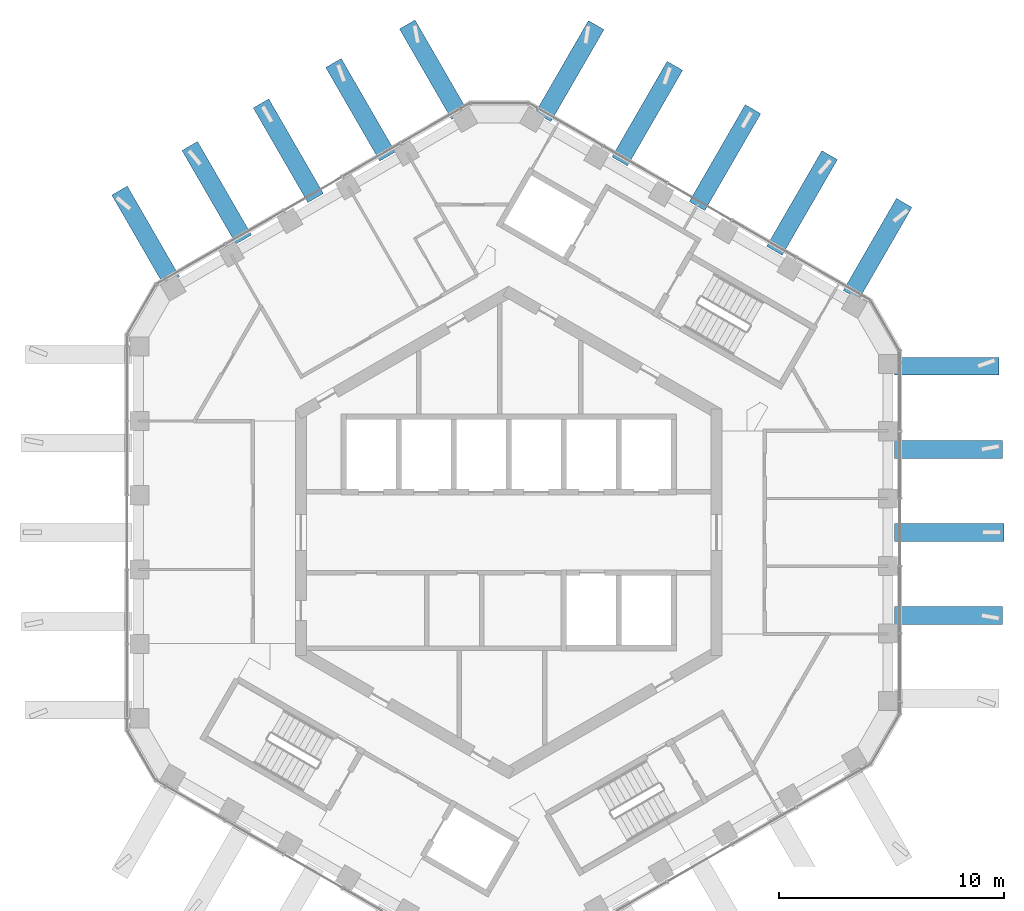
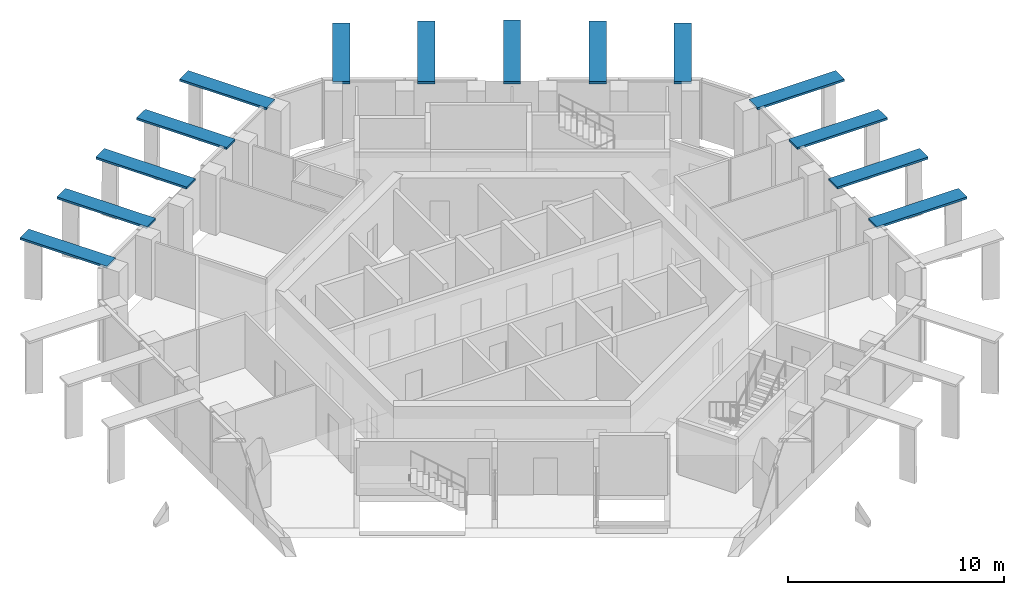
# One storey, part 14 of 18: 14 discrete accessories.
"""IFC4 building model written with IfcOpenShell, lengths in metres."""

from ifc_helpers import new_model, si_unit, direction, frame, origin, origin_2d, place, context, subcontext, project, spatial, rectangle, extrude, material, layer, layer_set, type_object, element, save


model = new_model("IFC4")

# Units and contexts
model_context = context("Model", 3, precision=1e-05, world=origin(), true_north=direction((0.0, 1.0)))
body_context = subcontext(model_context, "Body", "Model", "MODEL_VIEW")
ifc_project = project(units=[si_unit("LENGTHUNIT", "METRE"), si_unit("AREAUNIT", "SQUARE_METRE"), si_unit("VOLUMEUNIT", "CUBIC_METRE"), si_unit("PLANEANGLEUNIT", "RADIAN"), si_unit("MASSUNIT", "GRAM", prefix="KILO")], contexts=[model_context])

# Site, building, storey
site_placement = place(None, origin())
site = spatial("IfcSite", under=ifc_project, at=site_placement, CompositionType="ELEMENT")
building_placement = place(site_placement, origin())
building = spatial("IfcBuilding", under=site, at=building_placement, Name="Ayvan Gate Tower", CompositionType="ELEMENT")
storey_placement = place(building_placement, frame((0.0, 0.0, 242.699951171875)))
storey = spatial("IfcBuildingStorey", under=building, at=storey_placement, Name="L65", CompositionType="ELEMENT", Elevation=242.699951171875)

# Discrete accessories
ifc_material = material(Name="Stainless steel 316", Category="steel")
ifc_layer = layer(ifc_material, 0.1201171875)
ifc_layer_set = layer_set([ifc_layer], Name="Stainless steel 316")
discrete_accessory_type = type_object("IfcDiscreteAccessoryType", Name="Fin carrier bracket", PredefinedType="BRACKET", material=ifc_layer_set)
discrete_accessory_1_placement = place(storey_placement, frame((-16.16162109375, 13.20166015625, 3.280029296875), z_axis=(0.0, 0.0, 1.0), x_axis=(-0.866025403784, -0.5, 0.0)))
element("IfcDiscreteAccessory", 1, at=discrete_accessory_1_placement, inside=storey, type_object=discrete_accessory_type, Name="Fin carrier 240", PredefinedType="BRACKET", context=body_context, shape_type="SweptSolid", body=[
    extrude(rectangle(XDim=0.800048828125, YDim=4.652587890625, at=origin_2d()), origin(), (0.0, 0.0, 1.0), 0.1201171875),
])
discrete_accessory_2_placement = place(storey_placement, frame((-12.99560546875, 15.1201171875, 3.280029296875), z_axis=(0.0, 0.0, 1.0), x_axis=(-0.866025403784, -0.5, 0.0)))
element("IfcDiscreteAccessory", 2, at=discrete_accessory_2_placement, inside=storey, type_object=discrete_accessory_type, Name="Fin carrier 302", PredefinedType="BRACKET", context=body_context, shape_type="SweptSolid", body=[
    extrude(rectangle(XDim=0.800048828125, YDim=4.809326171875, at=origin_2d()), origin(), (0.0, 0.0, 1.0), 0.1201171875),
])
discrete_accessory_3_placement = place(storey_placement, frame((-9.81005859375, 16.991455078125, 3.280029296875), z_axis=(0.0, 0.0, 1.0), x_axis=(-0.866025403784, -0.5, 0.0)))
element("IfcDiscreteAccessory", 3, at=discrete_accessory_3_placement, inside=storey, type_object=discrete_accessory_type, Name="Fin carrier 371", PredefinedType="BRACKET", context=body_context, shape_type="SweptSolid", body=[
    extrude(rectangle(XDim=0.800048828125, YDim=4.864990234375, at=origin_2d()), origin(), (0.0, 0.0, 1.0), 0.1201171875),
])
discrete_accessory_4_placement = place(storey_placement, frame((-6.5966796875, 18.814453125, 3.280029296875), z_axis=(0.0, 0.0, 1.0), x_axis=(-0.866025403784, -0.5, 0.0)))
element("IfcDiscreteAccessory", 4, at=discrete_accessory_4_placement, inside=storey, type_object=discrete_accessory_type, Name="Fin carrier 433", PredefinedType="BRACKET", context=body_context, shape_type="SweptSolid", body=[
    extrude(rectangle(XDim=0.800048828125, YDim=4.809326171875, at=origin_2d()), origin(), (0.0, 0.0, 1.0), 0.1201171875),
])
discrete_accessory_5_placement = place(storey_placement, frame((-3.35205078125, 20.59716796875, 3.280029296875), z_axis=(0.0, 0.0, 1.0), x_axis=(-0.866025403784, -0.5, 0.0)))
element("IfcDiscreteAccessory", 5, at=discrete_accessory_5_placement, inside=storey, type_object=discrete_accessory_type, Name="Fin carrier 498", PredefinedType="BRACKET", context=body_context, shape_type="SweptSolid", body=[
    extrude(rectangle(XDim=0.800048828125, YDim=4.652587890625, at=origin_2d()), origin(), (0.0, 0.0, 1.0), 0.1201171875),
])
discrete_accessory_6_placement = place(storey_placement, frame((2.714111328125, 20.534423828125, 3.280029296875), z_axis=(0.0, 0.0, 1.0), x_axis=(-0.866025403784, 0.5, 0.0)))
element("IfcDiscreteAccessory", 6, at=discrete_accessory_6_placement, inside=storey, type_object=discrete_accessory_type, Name="Fin carrier 550", PredefinedType="BRACKET", context=body_context, shape_type="SweptSolid", body=[
    extrude(rectangle(XDim=0.800048828125, YDim=4.736572265625, at=origin_2d()), origin(), (0.0, 0.0, 1.0), 0.1201171875),
])
discrete_accessory_7_placement = place(storey_placement, frame((6.170654296875, 18.643310546875, 3.280029296875), z_axis=(0.0, 0.0, 1.0), x_axis=(-0.866025403784, 0.5, 0.0)))
element("IfcDiscreteAccessory", 7, at=discrete_accessory_7_placement, inside=storey, type_object=discrete_accessory_type, Name="Fin carrier 610", PredefinedType="BRACKET", context=body_context, shape_type="SweptSolid", body=[
    extrude(rectangle(XDim=0.800048828125, YDim=4.917724609375, at=origin_2d()), origin(), (0.0, 0.0, 1.0), 0.1201171875),
])
discrete_accessory_8_placement = place(storey_placement, frame((9.6318359375, 16.683349609375, 3.280029296875), z_axis=(0.0, 0.0, 1.0), x_axis=(-0.866025403784, 0.5, 0.0)))
element("IfcDiscreteAccessory", 8, at=discrete_accessory_8_placement, inside=storey, type_object=discrete_accessory_type, Name="Fin carrier 672", PredefinedType="BRACKET", context=body_context, shape_type="SweptSolid", body=[
    extrude(rectangle(XDim=0.800048828125, YDim=4.984130859375, at=origin_2d()), origin(), (0.0, 0.0, 1.0), 0.1201171875),
])
discrete_accessory_9_placement = place(storey_placement, frame((13.06005859375, 14.665771484375, 3.280029296875), z_axis=(0.0, 0.0, 1.0), x_axis=(-0.866025403784, 0.5, 0.0)))
element("IfcDiscreteAccessory", 9, at=discrete_accessory_9_placement, inside=storey, type_object=discrete_accessory_type, Name="Fin carrier 739", PredefinedType="BRACKET", context=body_context, shape_type="SweptSolid", body=[
    extrude(rectangle(XDim=0.800048828125, YDim=4.917724609375, at=origin_2d()), origin(), (0.0, 0.0, 1.0), 0.1201171875),
])
discrete_accessory_10_placement = place(storey_placement, frame((16.42626953125, 12.61767578125, 3.280029296875), z_axis=(0.0, 0.0, 1.0), x_axis=(-0.866025403784, 0.5, 0.0)))
element("IfcDiscreteAccessory", 10, at=discrete_accessory_10_placement, inside=storey, type_object=discrete_accessory_type, Name="Fin carrier 809", PredefinedType="BRACKET", context=body_context, shape_type="SweptSolid", body=[
    extrude(rectangle(XDim=0.800048828125, YDim=4.736572265625, at=origin_2d()), origin(), (0.0, 0.0, 1.0), 0.1201171875),
])
discrete_accessory_11_placement = place(storey_placement, frame((19.592041015625, -3.6943359375, 3.280029296875), z_axis=(0.0, 0.0, 1.0), x_axis=(0.0, 1.0, 0.0)))
element("IfcDiscreteAccessory", 11, at=discrete_accessory_11_placement, inside=storey, type_object=discrete_accessory_type, Name="Fin carrier 849", PredefinedType="BRACKET", context=body_context, shape_type="SweptSolid", body=[
    extrude(rectangle(XDim=0.800048828125, YDim=4.809326171875, at=origin_2d()), origin(), (0.0, 0.0, 1.0), 0.1201171875),
])
discrete_accessory_12_placement = place(storey_placement, frame((19.6201171875, 0.0, 3.280029296875), z_axis=(0.0, 0.0, 1.0), x_axis=(0.0, 1.0, 0.0)))
element("IfcDiscreteAccessory", 12, at=discrete_accessory_12_placement, inside=storey, type_object=discrete_accessory_type, Name="Fin carrier 862", PredefinedType="BRACKET", context=body_context, shape_type="SweptSolid", body=[
    extrude(rectangle(XDim=0.800048828125, YDim=4.864990234375, at=origin_2d()), origin(), (0.0, 0.0, 1.0), 0.1201171875),
])
discrete_accessory_13_placement = place(storey_placement, frame((19.592041015625, 3.694580078125, 3.280029296875), z_axis=(0.0, 0.0, 1.0), x_axis=(0.0, 1.0, 0.0)))
element("IfcDiscreteAccessory", 13, at=discrete_accessory_13_placement, inside=storey, type_object=discrete_accessory_type, Name="Fin carrier 873", PredefinedType="BRACKET", context=body_context, shape_type="SweptSolid", body=[
    extrude(rectangle(XDim=0.800048828125, YDim=4.809326171875, at=origin_2d()), origin(), (0.0, 0.0, 1.0), 0.1201171875),
])
discrete_accessory_14_placement = place(storey_placement, frame((19.513916015625, 7.395751953125, 3.280029296875), z_axis=(0.0, 0.0, 1.0), x_axis=(0.0, 1.0, 0.0)))
element("IfcDiscreteAccessory", 14, at=discrete_accessory_14_placement, inside=storey, type_object=discrete_accessory_type, Name="Fin carrier 886", PredefinedType="BRACKET", context=body_context, shape_type="SweptSolid", body=[
    extrude(rectangle(XDim=0.800048828125, YDim=4.652587890625, at=origin_2d()), origin(), (0.0, 0.0, 1.0), 0.1201171875),
])

save(model, "model.ifc")
